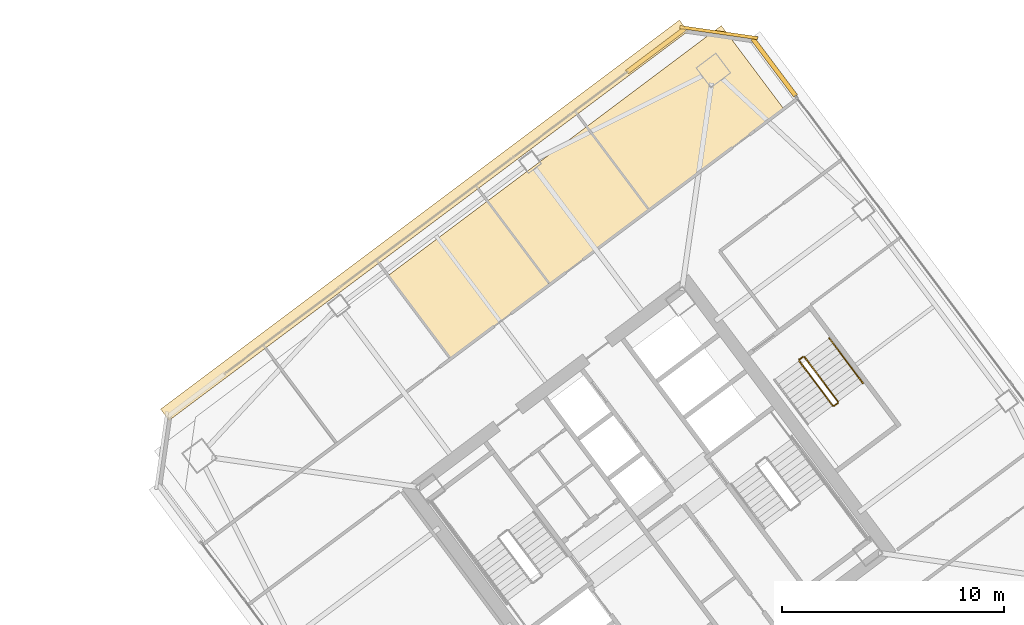
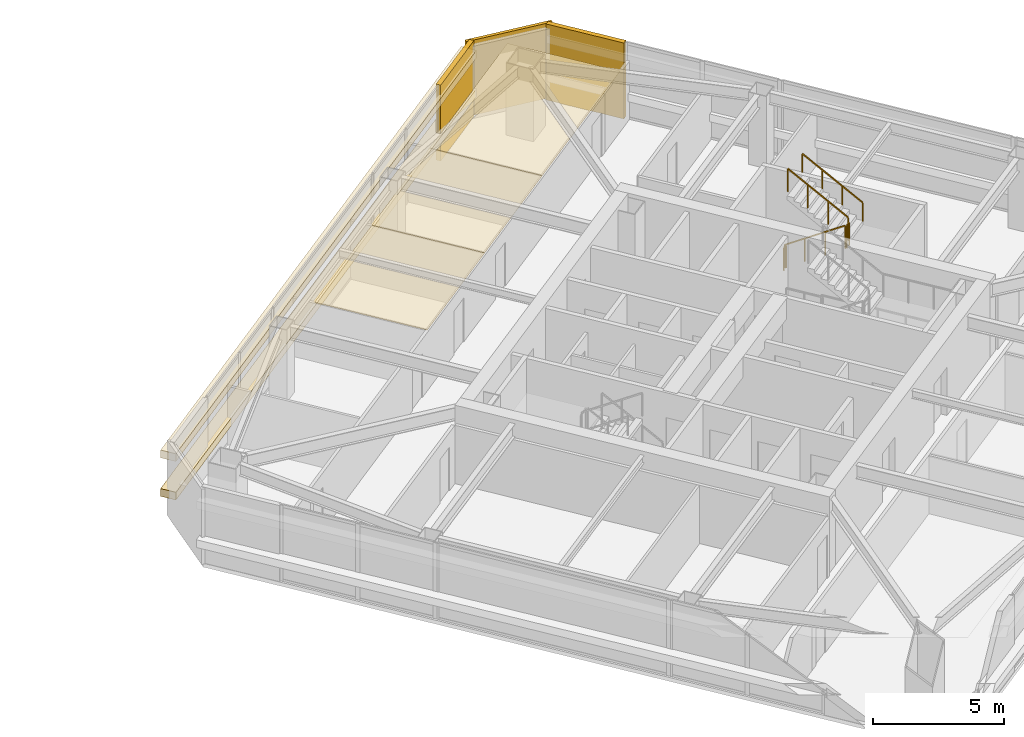
# One storey, part 42 of 43: 8 coverings, 5 railings.
"""IFC4 building model written with IfcOpenShell, lengths in metres."""

from ifc_helpers import new_model, si_unit, direction, frame, origin, origin_2d, place, context, subcontext, project, spatial, polyline, rectangle, outline, extrude, material, layer, layer_set, type_object, element, save


model = new_model("IFC4")

# Units and contexts
model_context = context("Model", 3, precision=1e-05, world=origin(), true_north=direction((0.0, 1.0)))
body_context = subcontext(model_context, "Body", "Model", "MODEL_VIEW")
ifc_project = project(units=[si_unit("LENGTHUNIT", "METRE"), si_unit("AREAUNIT", "SQUARE_METRE"), si_unit("VOLUMEUNIT", "CUBIC_METRE"), si_unit("PLANEANGLEUNIT", "RADIAN"), si_unit("MASSUNIT", "GRAM", prefix="KILO")], contexts=[model_context])

# Site, building, storey
site_placement = place(None, origin())
site = spatial("IfcSite", under=ifc_project, at=site_placement, CompositionType="ELEMENT")
building_placement = place(site_placement, origin())
building = spatial("IfcBuilding", under=site, at=building_placement, Name="Tashvorn Skyway Center", CompositionType="ELEMENT")
storey_placement = place(building_placement, frame((0.0, 0.0, 160.550048828125)))
storey = spatial("IfcBuildingStorey", under=building, at=storey_placement, Name="L43", CompositionType="ELEMENT", Elevation=160.550048828125)

# Coverings
ifc_material_1 = material(Name="Precast concrete C40/50", Category="concrete")
ifc_layer_1 = layer(ifc_material_1, 0.199951171875)
ifc_layer_set_1 = layer_set([ifc_layer_1], Name="Precast concrete C40/50")
covering_type_1 = type_object("IfcCoveringType", Name="COV-BRACE-CLAD", PredefinedType="CLADDING", material=ifc_layer_set_1)
for number, where, z_axis, x_axis, name in (
    (1, (114.300048828125, 53.199951171875, 0.0), (0.0, 0.0, 1.0), (0.799999996291, 0.600000004945, 0.0), "Tower 2 L43 North Unitised Curtain Wall Mega-Brace Cladding Band 2"),
    (2, (119.64794921875, 52.43603515625, 0.0), (0.0, 0.0, 1.0), (0.600000004945, -0.799999996291, 0.0), "Tower 2 L43 East Unitised Curtain Wall Mega-Brace Cladding Band 1"),
):
    element("IfcCovering", number, at=place(storey_placement, frame(where, z_axis=z_axis, x_axis=x_axis)), inside=storey, type_object=covering_type_1, Name=name, PredefinedType="CLADDING", context=body_context, shape_type="SweptSolid", body=[
        extrude(rectangle(XDim=3.239990234375, YDim=0.199951171875, at=origin_2d()), origin(), (0.0, 0.0, 1.0), 3.550048828125),
    ])
ifc_material_2 = material(Name="Mineral-fibre acoustic ceiling tile on suspended grid")
ifc_layer_2 = layer(ifc_material_2, 0.02001953125)
ifc_layer_set_2 = layer_set([ifc_layer_2], Name="Mineral-fibre acoustic ceiling tile on suspended grid")
covering_type_2 = type_object("IfcCoveringType", Name="COV-CEIL-20", PredefinedType="CEILING", material=ifc_layer_set_2)
covering_1_placement = place(storey_placement, frame((0.0, 0.0, 2.702880859375)))
element("IfcCovering", 3, at=covering_1_placement, inside=storey, type_object=covering_type_2, Name="Tower 2 L43 Staff Fitness Club Acoustic Ceiling", PredefinedType="CEILING", context=body_context, shape_type="SweptSolid", body=[
    extrude(outline(polyline([(105.0400390625, 39.280029296875), (109.52001953125, 42.639892578125), (106.699951171875, 46.39990234375), (102.219970703125, 43.0400390625), (105.0400390625, 39.280029296875)])), origin(), (0.0, 0.0, 1.0), 0.02001953125),
])
covering_2_placement = place(storey_placement, frame((0.0, 0.0, 2.702880859375)))
element("IfcCovering", 4, at=covering_2_placement, inside=storey, type_object=covering_type_2, Name="Tower 2 L43 Research Library Acoustic Ceiling", PredefinedType="CEILING", context=body_context, shape_type="SweptSolid", body=[
    extrude(outline(polyline([(109.52001953125, 42.639892578125), (114.0, 46.0), (111.179931640625, 49.760009765625), (106.699951171875, 46.39990234375), (109.52001953125, 42.639892578125)])), origin(), (0.0, 0.0, 1.0), 0.02001953125),
])
covering_3_placement = place(storey_placement, frame((0.0, 0.0, 2.702880859375)))
element("IfcCovering", 5, at=covering_3_placement, inside=storey, type_object=covering_type_2, Name="Tower 2 L43 Research Library Acoustic Ceiling", PredefinedType="CEILING", context=body_context, shape_type="SweptSolid", body=[
    extrude(outline(polyline([(114.0, 46.0), (120.080078125, 50.56005859375), (117.260009765625, 54.320068359375), (111.179931640625, 49.760009765625), (114.0, 46.0)])), origin(), (0.0, 0.0, 1.0), 0.02001953125),
])
ifc_material_3 = material(Name="Perforated ceramic-coated bronze aluminium solar screen", Category="aluminium")
ifc_layer_3 = layer(ifc_material_3, 0.85009765625)
ifc_layer_set_3 = layer_set([ifc_layer_3], Name="Perforated ceramic-coated bronze aluminium solar screen")
covering_type_3 = type_object("IfcCoveringType", Name="COV-SOLAR-BAND", PredefinedType="CLADDING", material=ifc_layer_set_3)
for number, where, z_axis, x_axis, name in (
    (6, (103.847900390625, 45.535888671875, 0.919921875), (0.0, 0.0, 1.0), (0.799999996291, 0.600000004945, 0.0), "L43 Perforated Ceramic-Metal Solar Screen Louvre Band North 1"),
    (7, (103.847900390625, 45.535888671875, 2.7197265625), (0.0, 0.0, 1.0), (0.799999996291, 0.600000004945, 0.0), "L43 Perforated Ceramic-Metal Solar Screen Louvre Band North 2"),
):
    element("IfcCovering", number, at=place(storey_placement, frame(where, z_axis=z_axis, x_axis=x_axis)), inside=storey, type_object=covering_type_3, Name=name, PredefinedType="CLADDING", context=body_context, shape_type="SweptSolid", body=[
        extrude(rectangle(XDim=29.280029296875, YDim=0.639892578125, at=origin_2d()), origin(), (0.0, 0.0, 1.0), 0.360107421875),
    ])
ifc_layer_4 = layer(ifc_material_1, 0.35009765625)
ifc_layer_set_4 = layer_set([ifc_layer_4], Name="Precast concrete C40/50")
covering_type_4 = type_object("IfcCoveringType", Name="COV-STONE-TRIM", PredefinedType="CLADDING", material=ifc_layer_set_4)
covering_4_placement = place(storey_placement, frame((117.14404296875, 54.008056640625, 0.02001953125), z_axis=(0.0, 0.0, 1.0), x_axis=(0.989949494535, -0.141421350118, 0.0)))
element("IfcCovering", 8, at=covering_4_placement, inside=storey, type_object=covering_type_4, Name="Tower 2 L43 NE Mojave Limestone Corner Quoin", PredefinedType="CLADDING", context=body_context, shape_type="SweptSolid", body=[
    extrude(rectangle(XDim=3.55419921875, YDim=0.139892578125, at=origin_2d()), origin(), (0.0, 0.0, 1.0), 3.510009765625),
])

# Railings
ifc_material_4 = material(Name="Brushed stainless steel 316", Category="steel")
railing_type_1 = type_object("IfcRailingType", Name="RAIL-HAND-920", PredefinedType="HANDRAIL", material=ifc_material_4)
railing_1_placement = place(storey_placement, frame((123.64794921875, 38.18603515625, 1.952392578125)))
element("IfcRailing", 9, at=railing_1_placement, inside=storey, type_object=railing_type_1, Name="L43 ST-T2-3 stair handrail 2", PredefinedType="HANDRAIL", context=body_context, shape_type="SweptSolid", body=[
    extrude(rectangle(XDim=0.048095703125, YDim=0.048095703125, at=origin_2d()), frame((0.0, 0.0, 0.8759765625), z_axis=(-0.50674661542, 0.675634878657, 0.535467439255), x_axis=(-0.79998837352, -0.60001550166, 0.0)), (0.0, 0.0, 1.0), 2.983642578125),
    extrude(rectangle(XDim=0.0419921875, YDim=0.0419921875, at=origin_2d()), origin(), (0.0, 0.0, 1.0), 0.851806640625),
    extrude(rectangle(XDim=0.0419921875, YDim=0.0419921875, at=origin_2d()), frame((-0.50390625, 0.671875, 0.532470703125)), (0.0, 0.0, 1.0), 0.851806640625),
    extrude(rectangle(XDim=0.0419921875, YDim=0.0419921875, at=origin_2d()), frame((-1.008056640625, 1.343994140625, 1.065185546875)), (0.0, 0.0, 1.0), 0.851806640625),
    extrude(rectangle(XDim=0.0419921875, YDim=0.0419921875, at=origin_2d()), frame((-1.511962890625, 2.015869140625, 1.59765625)), (0.0, 0.0, 1.0), 0.851806640625),
])
ifc_material_5 = material(Name="Painted galvanized steel S355", Category="steel")
railing_type_2 = type_object("IfcRailingType", Name="RAIL-STGUARD-1100", PredefinedType="GUARDRAIL", material=ifc_material_5)
railing_2_placement = place(storey_placement, frame((120.77587890625, 39.181884765625, 0.177490234375)))
element("IfcRailing", 10, at=railing_2_placement, inside=storey, type_object=railing_type_2, Name="L43 ST-T2-3 stair guard 1", PredefinedType="GUARDRAIL", context=body_context, shape_type="SweptSolid", body=[
    extrude(rectangle(XDim=0.048095703125, YDim=0.048095703125, at=origin_2d()), frame((0.0, 0.0, 1.076171875), z_axis=(0.506829628838, -0.67563646195, 0.535386868177), x_axis=(0.799941867976, 0.600077501544, 0.0)), (0.0, 0.0, 1.0), 2.983642578125),
    extrude(rectangle(XDim=0.0419921875, YDim=0.0419921875, at=origin_2d()), origin(), (0.0, 0.0, 1.0), 1.052001953125),
    extrude(rectangle(XDim=0.0419921875, YDim=0.0419921875, at=origin_2d()), frame((0.504150390625, -0.671875, 0.532470703125)), (0.0, 0.0, 1.0), 1.052001953125),
    extrude(rectangle(XDim=0.0419921875, YDim=0.0419921875, at=origin_2d()), frame((1.008056640625, -1.343994140625, 1.06494140625)), (0.0, 0.0, 1.0), 1.052001953125),
    extrude(rectangle(XDim=0.0419921875, YDim=0.0419921875, at=origin_2d()), frame((1.51220703125, -2.015869140625, 1.597412109375)), (0.0, 0.0, 1.0), 1.052001953125),
])
railing_3_placement = place(storey_placement, frame((122.35791015625, 37.156005859375, 1.77490234375)))
element("IfcRailing", 11, at=railing_3_placement, inside=storey, type_object=railing_type_2, Name="L43 ST-T2-3 stair guard 2", PredefinedType="GUARDRAIL", context=body_context, shape_type="SweptSolid", body=[
    extrude(rectangle(XDim=0.048095703125, YDim=0.048095703125, at=origin_2d()), frame((0.0, 0.0, 1.076171875), z_axis=(0.800585412921, 0.599218655098, 0.0), x_axis=(-0.599218655098, 0.800585412921, 0.0)), (0.0, 0.0, 1.0), 0.199951171875),
    extrude(rectangle(XDim=0.0419921875, YDim=0.0419921875, at=origin_2d()), origin(), (0.0, 0.0, 1.0), 1.052001953125),
    extrude(rectangle(XDim=0.0419921875, YDim=0.0419921875, at=origin_2d()), frame((0.16015625, 0.119873046875, 0.0)), (0.0, 0.0, 1.0), 1.052001953125),
])
railing_4_placement = place(storey_placement, frame((122.528076171875, 37.345947265625, 1.952392578125)))
element("IfcRailing", 12, at=railing_4_placement, inside=storey, type_object=railing_type_2, Name="L43 ST-T2-3 stair guard 3", PredefinedType="GUARDRAIL", context=body_context, shape_type="SweptSolid", body=[
    extrude(rectangle(XDim=0.048095703125, YDim=0.048095703125, at=origin_2d()), frame((0.0, 0.0, 1.076171875), z_axis=(-0.506718600913, 0.675679348675, 0.535437836974), x_axis=(-0.800023250257, -0.599968998406, 0.0)), (0.0, 0.0, 1.0), 2.98388671875),
    extrude(rectangle(XDim=0.0419921875, YDim=0.0419921875, at=origin_2d()), origin(), (0.0, 0.0, 1.0), 1.052001953125),
    extrude(rectangle(XDim=0.0419921875, YDim=0.0419921875, at=origin_2d()), frame((-0.50390625, 0.672119140625, 0.532470703125)), (0.0, 0.0, 1.0), 1.052001953125),
    extrude(rectangle(XDim=0.0419921875, YDim=0.0419921875, at=origin_2d()), frame((-1.008056640625, 1.343994140625, 1.065185546875)), (0.0, 0.0, 1.0), 1.052001953125),
    extrude(rectangle(XDim=0.0419921875, YDim=0.0419921875, at=origin_2d()), frame((-1.511962890625, 2.01611328125, 1.59765625)), (0.0, 0.0, 1.0), 1.052001953125),
])
railing_5_placement = place(storey_placement, frame((120.785888671875, 39.251953125, 0.0)))
element("IfcRailing", 13, at=railing_5_placement, inside=storey, type_object=railing_type_2, Name="L43 ST-T2-3 stair guard 4", PredefinedType="GUARDRAIL", context=body_context, shape_type="SweptSolid", body=[
    extrude(rectangle(XDim=0.048095703125, YDim=0.048095703125, at=origin_2d()), frame((0.0, 0.0, 1.076171875), z_axis=(0.8, 0.6, 0.0), x_axis=(-0.6, 0.8, 0.0)), (0.0, 0.0, 1.0), 0.2001953125),
    extrude(rectangle(XDim=0.0419921875, YDim=0.0419921875, at=origin_2d()), origin(), (0.0, 0.0, 1.0), 1.052001953125),
    extrude(rectangle(XDim=0.0419921875, YDim=0.0419921875, at=origin_2d()), frame((0.16015625, 0.1201171875, 0.0)), (0.0, 0.0, 1.0), 1.052001953125),
])

save(model, "model.ifc")
